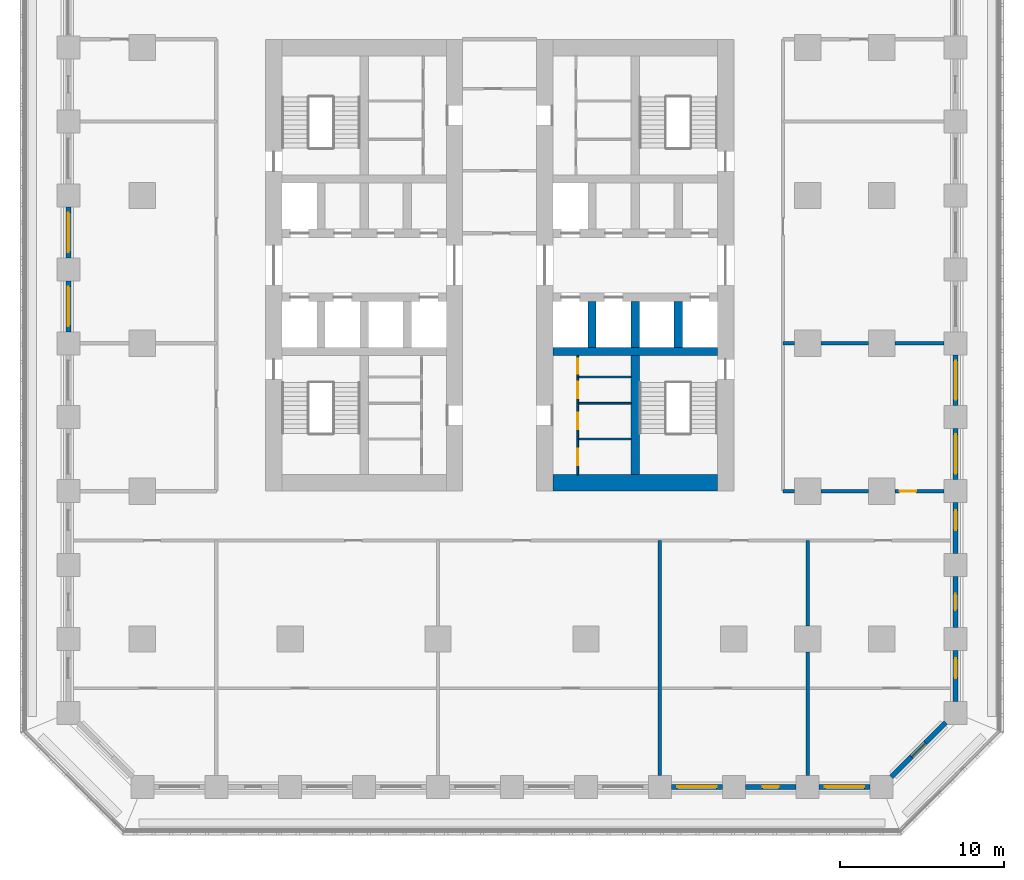
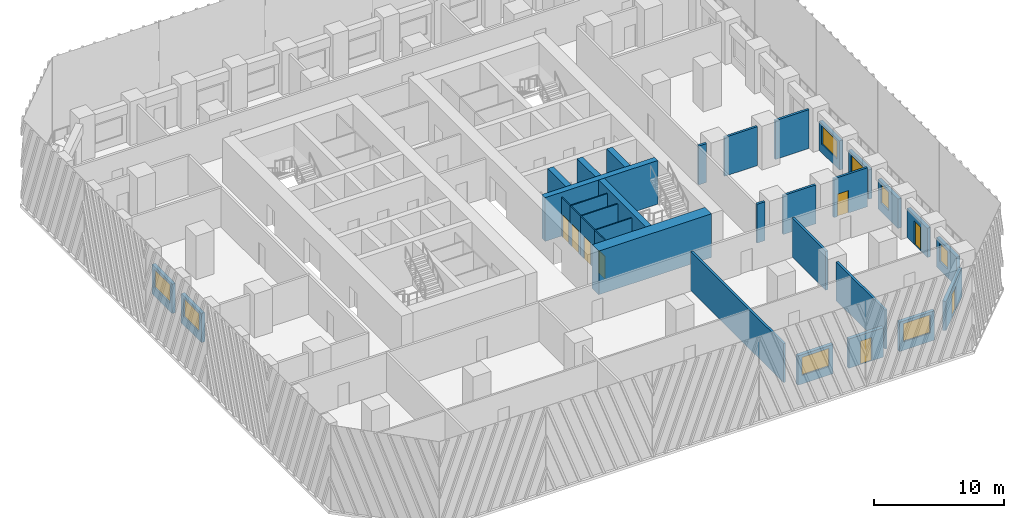
# One storey, part 4 of 14: 33 walls, 8 doors, 8 windows, 16 openings.
"""IFC4 building model written with IfcOpenShell, lengths in metres."""

from ifc_helpers import new_model, si_unit, direction, frame, frame_2d, origin, place, context, subcontext, project, spatial, rectangle, extrude, material, layer, layer_set, type_object, element, fill, save


model = new_model("IFC4")

# Units and contexts
model_context = context("Model", 3, precision=1e-05, world=origin(), true_north=direction((0.0, 1.0)))
body_context = subcontext(model_context, "Body", "Model", "MODEL_VIEW")
ifc_project = project(units=[si_unit("LENGTHUNIT", "METRE"), si_unit("AREAUNIT", "SQUARE_METRE"), si_unit("VOLUMEUNIT", "CUBIC_METRE"), si_unit("PLANEANGLEUNIT", "RADIAN"), si_unit("MASSUNIT", "GRAM", prefix="KILO")], contexts=[model_context])

# Site, building, storey
site_placement = place(None, origin())
site = spatial("IfcSite", under=ifc_project, at=site_placement, CompositionType="ELEMENT")
building_placement = place(site_placement, origin())
building = spatial("IfcBuilding", under=site, at=building_placement, Name="Corbel Stack Research Tower", CompositionType="ELEMENT")
storey_placement = place(building_placement, frame((0.0, 0.0, 50.10009765625)))
storey = spatial("IfcBuildingStorey", under=building, at=storey_placement, Name="L11", CompositionType="ELEMENT", Elevation=50.10009765625)

# Walls
ifc_material_1 = material(Name="Concrete C70/85", Category="concrete")
ifc_layer_1 = layer(ifc_material_1, 1.0)
ifc_layer_set_1 = layer_set([ifc_layer_1], Name="Concrete C70/85")
wall_type_1 = type_object("IfcWallType", Name="CW-1000-70", PredefinedType="SHEAR", material=ifc_layer_set_1)
wall_1_placement = place(storey_placement, frame((7.0, -8.5, 0.0), z_axis=(0.0, 0.0, 1.0), x_axis=(1.0, 0.0, 0.0)))
element("IfcWall", 1, at=wall_1_placement, inside=storey, type_object=wall_type_1, Name="East core wall, south end L11", PredefinedType="SHEAR", context=body_context, shape_type="SweptSolid", body=[
    extrude(rectangle(XDim=10.0, YDim=1.0, at=frame_2d((5.0, 0.0))), origin(), (0.0, 0.0, 1.0), 4.099853515625),
])
ifc_material_2 = material(Name="Concrete C70/85", Category="concrete")
ifc_layer_2 = layer(ifc_material_2, 0.5)
ifc_layer_set_2 = layer_set([ifc_layer_2], Name="Concrete C70/85")
wall_type_2 = type_object("IfcWallType", Name="CW-500-70", PredefinedType="SHEAR", material=ifc_layer_set_2)
wall_2_placement = place(storey_placement, frame((7.0, -0.5, 0.0), z_axis=(0.0, 0.0, 1.0), x_axis=(1.0, 0.0, 0.0)))
element("IfcWall", 2, at=wall_2_placement, inside=storey, type_object=wall_type_2, Name="East core wall, south row back L11", PredefinedType="SHEAR", context=body_context, shape_type="SweptSolid", body=[
    extrude(rectangle(XDim=10.0, YDim=0.5, at=frame_2d((5.0, 0.0))), origin(), (0.0, 0.0, 1.0), 4.099853515625),
])
for number, where, z_axis, x_axis, name in (
    (3, (9.375, -0.25, 0.0), (0.0, 0.0, 1.0), (0.0, 1.0, 0.0), "East core wall, south shaft 1 L11"),
    (4, (12.0, -0.25, 0.0), (0.0, 0.0, 1.0), (0.0, 1.0, 0.0), "East core wall, south shaft 2 L11"),
    (5, (14.625, -0.25, 0.0), (0.0, 0.0, 1.0), (0.0, 1.0, 0.0), "East core wall, south shaft 3 L11"),
):
    element("IfcWall", number, at=place(storey_placement, frame(where, z_axis=z_axis, x_axis=x_axis)), inside=storey, type_object=wall_type_2, Name=name, PredefinedType="SHEAR", context=body_context, shape_type="SweptSolid", body=[
        extrude(rectangle(XDim=2.800048828125, YDim=0.5, at=frame_2d((1.39990234375, 0.0))), origin(), (0.0, 0.0, 1.0), 4.099853515625),
    ])
wall_3_placement = place(storey_placement, frame((12.0, -8.0, 0.0), z_axis=(0.0, 0.0, 1.0), x_axis=(0.0, 1.0, 0.0)))
element("IfcWall", 6, at=wall_3_placement, inside=storey, type_object=wall_type_2, Name="East core wall, south stair and WC L11", PredefinedType="SHEAR", context=body_context, shape_type="SweptSolid", body=[
    extrude(rectangle(XDim=7.25, YDim=0.5, at=frame_2d((3.625, 0.0))), origin(), (0.0, 0.0, 1.0), 4.099853515625),
])

# Wall, opening, door
ifc_material_3 = material(Name="Gypsum board")
ifc_layer_3 = layer(ifc_material_3, 0.10009765625)
ifc_layer_set_3 = layer_set([ifc_layer_3], Name="Gypsum board")
wall_type_3 = type_object("IfcWallType", Name="Core partition 100", PredefinedType="PARTITIONING", material=ifc_layer_set_3)
wall_4_placement = place(storey_placement, frame((8.5, -8.0, 0.0), z_axis=(0.0, 0.0, 1.0), x_axis=(0.0, 1.0, 0.0)))
wall_4 = element("IfcWall", 7, at=wall_4_placement, inside=storey, type_object=wall_type_3, Name="Core partition E", PredefinedType="PARTITIONING", context=body_context, shape_type="SweptSolid", body=[
    extrude(rectangle(XDim=2.175048828125, YDim=0.10009765625, at=frame_2d((1.08740234375, 0.0))), origin(), (0.0, 0.0, 1.0), 3.64990234375),
])
opening_1_placement = place(wall_4_placement, frame((0.58740234375, 0.0, 0.0)))
opening_1 = element("IfcOpeningElement", 8, at=opening_1_placement, cuts=wall_4, Name="Opening CR-E42-W2-1000", PredefinedType="OPENING", context=body_context, shape_type="SweptSolid", body=[
    extrude(rectangle(XDim=1.0, YDim=2.10009765625, at=frame_2d((0.5, 1.050048828125))), frame((0.0, 0.06005859375, 0.0), z_axis=(0.0, -1.0, 0.0), x_axis=(1.0, 0.0, 0.0)), (0.0, 0.0, 1.0), 0.1201171875),
])
ifc_material_4 = material(Name="Painted timber door", Category="wood")
door_type_1 = type_object("IfcDoorType", Name="WC door 1000 x 2100 left hand", OperationType="SINGLE_SWING_LEFT", PredefinedType="DOOR", material=ifc_material_4)
door_1_placement = place(opening_1_placement, origin())
door_1 = element("IfcDoor", 9, at=door_1_placement, inside=storey, type_object=door_type_1, Name="Men's WC door E core", OperationType="SINGLE_SWING_LEFT", OverallHeight=2.10009765625, OverallWidth=1.0, PredefinedType="DOOR", context=body_context, shape_type="SweptSolid", body=[
    extrude(rectangle(XDim=1.0, YDim=2.10009765625, at=frame_2d((0.5, 1.050048828125))), frame((0.0, 0.02490234375, 0.0), z_axis=(0.0, -1.0, 0.0), x_axis=(1.0, 0.0, 0.0)), (0.0, 0.0, 1.0), 0.050048828125),
])
fill(opening_1, door_1)

wall_5_placement = place(storey_placement, frame((8.5, -5.824951171875, 0.0), z_axis=(0.0, 0.0, 1.0), x_axis=(0.0, 1.0, 0.0)))
wall_5 = element("IfcWall", 10, at=wall_5_placement, inside=storey, type_object=wall_type_3, Name="Core partition E", PredefinedType="PARTITIONING", context=body_context, shape_type="SweptSolid", body=[
    extrude(rectangle(XDim=2.175048828125, YDim=0.10009765625, at=frame_2d((1.08740234375, 0.0))), origin(), (0.0, 0.0, 1.0), 3.64990234375),
])
opening_2_placement = place(wall_5_placement, frame((0.58740234375, 0.0, 0.0)))
opening_2 = element("IfcOpeningElement", 11, at=opening_2_placement, cuts=wall_5, Name="Opening CR-E42-W3-1000", PredefinedType="OPENING", context=body_context, shape_type="SweptSolid", body=[
    extrude(rectangle(XDim=1.0, YDim=2.10009765625, at=frame_2d((0.5, 1.050048828125))), frame((0.0, 0.06005859375, 0.0), z_axis=(0.0, -1.0, 0.0), x_axis=(1.0, 0.0, 0.0)), (0.0, 0.0, 1.0), 0.1201171875),
])
ifc_material_5 = material(Name="Painted timber door", Category="wood")
door_type_2 = type_object("IfcDoorType", Name="WC door 1000 x 2100 right hand", OperationType="SINGLE_SWING_RIGHT", PredefinedType="DOOR", material=ifc_material_5)
door_2_placement = place(opening_2_placement, origin())
door_2 = element("IfcDoor", 12, at=door_2_placement, inside=storey, type_object=door_type_2, Name="Women's WC door E core", OperationType="SINGLE_SWING_RIGHT", OverallHeight=2.10009765625, OverallWidth=1.0, PredefinedType="DOOR", context=body_context, shape_type="SweptSolid", body=[
    extrude(rectangle(XDim=1.0, YDim=2.10009765625, at=frame_2d((0.5, 1.050048828125))), frame((0.0, 0.02490234375, 0.0), z_axis=(0.0, -1.0, 0.0), x_axis=(1.0, 0.0, 0.0)), (0.0, 0.0, 1.0), 0.050048828125),
])
fill(opening_2, door_2)

wall_6_placement = place(storey_placement, frame((8.5, -3.64990234375, 0.0), z_axis=(0.0, 0.0, 1.0), x_axis=(0.0, 1.0, 0.0)))
wall_6 = element("IfcWall", 13, at=wall_6_placement, inside=storey, type_object=wall_type_3, Name="Core partition E", PredefinedType="PARTITIONING", context=body_context, shape_type="SweptSolid", body=[
    extrude(rectangle(XDim=1.594970703125, YDim=0.10009765625, at=frame_2d((0.79736328125, 0.0))), origin(), (0.0, 0.0, 1.0), 3.64990234375),
])
opening_3_placement = place(wall_6_placement, frame((0.297607421875, 0.0, 0.0)))
opening_3 = element("IfcOpeningElement", 14, at=opening_3_placement, cuts=wall_6, Name="Opening CR-E42-W4-1000", PredefinedType="OPENING", context=body_context, shape_type="SweptSolid", body=[
    extrude(rectangle(XDim=1.0, YDim=2.10009765625, at=frame_2d((0.5, 1.050048828125))), frame((0.0, 0.06005859375, 0.0), z_axis=(0.0, -1.0, 0.0), x_axis=(1.0, 0.0, 0.0)), (0.0, 0.0, 1.0), 0.1201171875),
])
door_3_placement = place(opening_3_placement, origin())
door_3 = element("IfcDoor", 15, at=door_3_placement, inside=storey, type_object=door_type_1, Name="Accessible WC door E core", OperationType="SINGLE_SWING_LEFT", OverallHeight=2.10009765625, OverallWidth=1.0, PredefinedType="DOOR", context=body_context, shape_type="SweptSolid", body=[
    extrude(rectangle(XDim=1.0, YDim=2.10009765625, at=frame_2d((0.5, 1.050048828125))), frame((0.0, 0.02490234375, 0.0), z_axis=(0.0, -1.0, 0.0), x_axis=(1.0, 0.0, 0.0)), (0.0, 0.0, 1.0), 0.050048828125),
])
fill(opening_3, door_3)

wall_7_placement = place(storey_placement, frame((8.5, -2.054931640625, 0.0), z_axis=(0.0, 0.0, 1.0), x_axis=(0.0, 1.0, 0.0)))
wall_7 = element("IfcWall", 16, at=wall_7_placement, inside=storey, type_object=wall_type_3, Name="Core partition E", PredefinedType="PARTITIONING", context=body_context, shape_type="SweptSolid", body=[
    extrude(rectangle(XDim=1.304931640625, YDim=0.10009765625, at=frame_2d((0.65234375, 0.0))), origin(), (0.0, 0.0, 1.0), 3.64990234375),
])
opening_4_placement = place(wall_7_placement, frame((0.199951171875, 0.0, 0.0)))
opening_4 = element("IfcOpeningElement", 17, at=opening_4_placement, cuts=wall_7, Name="Opening CR-E42-W5-905", PredefinedType="OPENING", context=body_context, shape_type="SweptSolid", body=[
    extrude(rectangle(XDim=0.905029296875, YDim=2.10009765625, at=frame_2d((0.45263671875, 1.050048828125))), frame((0.0, 0.06005859375, 0.0), z_axis=(0.0, -1.0, 0.0), x_axis=(1.0, 0.0, 0.0)), (0.0, 0.0, 1.0), 0.1201171875),
])
ifc_material_6 = material(Name="Painted steel door", Category="steel")
door_type_3 = type_object("IfcDoorType", Name="Service door 905 x 2100 FD30 right hand", OperationType="SINGLE_SWING_RIGHT", PredefinedType="DOOR", material=ifc_material_6)
door_4_placement = place(opening_4_placement, origin())
door_4 = element("IfcDoor", 18, at=door_4_placement, inside=storey, type_object=door_type_3, Name="Cleaner's store door E core", OperationType="SINGLE_SWING_RIGHT", OverallHeight=2.10009765625, OverallWidth=0.905029296875, PredefinedType="DOOR", context=body_context, shape_type="SweptSolid", body=[
    extrude(rectangle(XDim=0.905029296875, YDim=2.10009765625, at=frame_2d((0.45263671875, 1.050048828125))), frame((0.0, 0.02490234375, 0.0), z_axis=(0.0, -1.0, 0.0), x_axis=(1.0, 0.0, 0.0)), (0.0, 0.0, 1.0), 0.050048828125),
])
fill(opening_4, door_4)

# Walls
for number, where, z_axis, x_axis, name in (
    (19, (8.5, -5.824951171875, 0.0), (0.0, 0.0, 1.0), (1.0, 0.0, 0.0), "Core partition E"),
    (20, (8.5, -3.64990234375, 0.0), (0.0, 0.0, 1.0), (1.0, 0.0, 0.0), "Core partition E"),
    (21, (8.5, -2.054931640625, 0.0), (0.0, 0.0, 1.0), (1.0, 0.0, 0.0), "Core partition E"),
):
    element("IfcWall", number, at=place(storey_placement, frame(where, z_axis=z_axis, x_axis=x_axis)), inside=storey, type_object=wall_type_3, Name=name, PredefinedType="PARTITIONING", context=body_context, shape_type="SweptSolid", body=[
        extrude(rectangle(XDim=3.25, YDim=0.10009765625, at=frame_2d((1.625, 0.0))), origin(), (0.0, 0.0, 1.0), 3.64990234375),
    ])
ifc_material_7 = material(Name="Fire-rated gypsum board partition on steel studs", Category="steel")
ifc_layer_4 = layer(ifc_material_7, 0.199951171875)
ifc_layer_set_4 = layer_set([ifc_layer_4], Name="Fire-rated gypsum board partition on steel studs")
wall_type_4 = type_object("IfcWallType", Name="Fire-rated partition 200 EI 60", PredefinedType="PARTITIONING", material=ifc_layer_set_4)
wall_8_placement = place(storey_placement, frame((13.5, -26.300048828125, 0.0), z_axis=(0.0, 0.0, 1.0), x_axis=(0.0, 1.0, 0.0)))
element("IfcWall", 22, at=wall_8_placement, inside=storey, type_object=wall_type_4, Name="Partition L11-007", PredefinedType="PARTITIONING", context=body_context, shape_type="SweptSolid", body=[
    extrude(rectangle(XDim=14.300048828125, YDim=0.199951171875, at=frame_2d((7.14990234375, 0.0))), origin(), (0.0, 0.0, 1.0), 3.64990234375),
])
wall_9_placement = place(storey_placement, frame((22.5, -26.300048828125, 0.0), z_axis=(0.0, 0.0, 1.0), x_axis=(0.0, 1.0, 0.0)))
element("IfcWall", 23, at=wall_9_placement, inside=storey, type_object=wall_type_4, Name="Partition L11-010", PredefinedType="PARTITIONING", context=body_context, shape_type="SweptSolid", body=[
    extrude(rectangle(XDim=7.5, YDim=0.199951171875, at=frame_2d((3.75, 0.0))), origin(), (0.0, 0.0, 1.0), 3.64990234375),
])
wall_10_placement = place(storey_placement, frame((22.5, -17.199951171875, 0.0), z_axis=(0.0, 0.0, 1.0), x_axis=(0.0, 1.0, 0.0)))
element("IfcWall", 24, at=wall_10_placement, inside=storey, type_object=wall_type_4, Name="Partition L11-011", PredefinedType="PARTITIONING", context=body_context, shape_type="SweptSolid", body=[
    extrude(rectangle(XDim=5.199951171875, YDim=0.199951171875, at=frame_2d((2.60009765625, 0.0))), origin(), (0.0, 0.0, 1.0), 3.64990234375),
])
wall_11_placement = place(storey_placement, frame((21.0, -9.0, 0.0), z_axis=(0.0, 0.0, 1.0), x_axis=(1.0, 0.0, 0.0)))
element("IfcWall", 25, at=wall_11_placement, inside=storey, type_object=wall_type_4, Name="Partition L11-017", PredefinedType="PARTITIONING", context=body_context, shape_type="SweptSolid", body=[
    extrude(rectangle(XDim=0.699951171875, YDim=0.199951171875, at=frame_2d((0.35009765625, 0.0))), origin(), (0.0, 0.0, 1.0), 3.64990234375),
])
wall_12_placement = place(storey_placement, frame((23.300048828125, -9.0, 0.0), z_axis=(0.0, 0.0, 1.0), x_axis=(1.0, 0.0, 0.0)))
element("IfcWall", 26, at=wall_12_placement, inside=storey, type_object=wall_type_4, Name="Partition L11-018", PredefinedType="PARTITIONING", context=body_context, shape_type="SweptSolid", body=[
    extrude(rectangle(XDim=2.89990234375, YDim=0.199951171875, at=frame_2d((1.449951171875, 0.0))), origin(), (0.0, 0.0, 1.0), 3.64990234375),
])

# Wall, opening, door
wall_13_placement = place(storey_placement, frame((27.800048828125, -9.0, 0.0), z_axis=(0.0, 0.0, 1.0), x_axis=(1.0, 0.0, 0.0)))
wall_13 = element("IfcWall", 27, at=wall_13_placement, inside=storey, type_object=wall_type_4, Name="Partition L11-019", PredefinedType="PARTITIONING", context=body_context, shape_type="SweptSolid", body=[
    extrude(rectangle(XDim=3.0, YDim=0.199951171875, at=frame_2d((1.5, 0.0))), origin(), (0.0, 0.0, 1.0), 3.64990234375),
])
opening_5_placement = place(wall_13_placement, frame((0.300048828125, 0.0, 0.0)))
opening_5 = element("IfcOpeningElement", 28, at=opening_5_placement, cuts=wall_13, Name="Opening B2V1-013", PredefinedType="OPENING", context=body_context, shape_type="SweptSolid", body=[
    extrude(rectangle(XDim=1.0, YDim=2.10009765625, at=frame_2d((0.5, 1.050048828125))), frame((0.0, 0.10986328125, 0.0), z_axis=(0.0, -1.0, 0.0), x_axis=(1.0, 0.0, 0.0)), (0.0, 0.0, 1.0), 0.219970703125),
])
ifc_material_8 = material(Name="Painted steel fire door", Category="steel")
door_type_4 = type_object("IfcDoorType", Name="Fire door FD30S 1000 x 2100", OperationType="NOTDEFINED", PredefinedType="DOOR", material=ifc_material_8)
door_5_placement = place(opening_5_placement, origin())
door_5 = element("IfcDoor", 29, at=door_5_placement, inside=storey, type_object=door_type_4, Name="Door B2V1-013", OperationType="SINGLE_SWING_LEFT", OverallHeight=2.10009765625, OverallWidth=1.0, PredefinedType="DOOR", context=body_context, shape_type="SweptSolid", body=[
    extrude(rectangle(XDim=1.0, YDim=2.10009765625, at=frame_2d((0.5, 1.050048828125))), frame((0.0, 0.02490234375, 0.0), z_axis=(0.0, -1.0, 0.0), x_axis=(1.0, 0.0, 0.0)), (0.0, 0.0, 1.0), 0.050048828125),
])
fill(opening_5, door_5)

# Walls
wall_14_placement = place(storey_placement, frame((21.0, 0.0, 0.0), z_axis=(0.0, 0.0, 1.0), x_axis=(1.0, 0.0, 0.0)))
element("IfcWall", 30, at=wall_14_placement, inside=storey, type_object=wall_type_4, Name="Partition L11-022", PredefinedType="PARTITIONING", context=body_context, shape_type="SweptSolid", body=[
    extrude(rectangle(XDim=0.699951171875, YDim=0.199951171875, at=frame_2d((0.35009765625, 0.0))), origin(), (0.0, 0.0, 1.0), 3.64990234375),
])
wall_15_placement = place(storey_placement, frame((23.300048828125, 0.0, 0.0), z_axis=(0.0, 0.0, 1.0), x_axis=(1.0, 0.0, 0.0)))
element("IfcWall", 31, at=wall_15_placement, inside=storey, type_object=wall_type_4, Name="Partition L11-023", PredefinedType="PARTITIONING", context=body_context, shape_type="SweptSolid", body=[
    extrude(rectangle(XDim=2.89990234375, YDim=0.199951171875, at=frame_2d((1.449951171875, 0.0))), origin(), (0.0, 0.0, 1.0), 3.64990234375),
])
wall_16_placement = place(storey_placement, frame((27.800048828125, 0.0, 0.0), z_axis=(0.0, 0.0, 1.0), x_axis=(1.0, 0.0, 0.0)))
element("IfcWall", 32, at=wall_16_placement, inside=storey, type_object=wall_type_4, Name="Partition L11-024", PredefinedType="PARTITIONING", context=body_context, shape_type="SweptSolid", body=[
    extrude(rectangle(XDim=3.0, YDim=0.199951171875, at=frame_2d((1.5, 0.0))), origin(), (0.0, 0.0, 1.0), 3.64990234375),
])

# Wall, opening, window
ifc_material_9 = material(Name="Concrete C45/55", Category="concrete")
ifc_layer_5 = layer(ifc_material_9, 0.300048828125)
ifc_layer_set_5 = layer_set([ifc_layer_5], Name="Concrete C45/55")
wall_type_5 = type_object("IfcWallType", Name="Terracotta-faced concrete wall 300", PredefinedType="SOLIDWALL", material=ifc_layer_set_5)
wall_17_placement = place(storey_placement, frame((17.300048828125, -27.0, 0.0), z_axis=(0.0, 0.0, 1.0), x_axis=(-1.0, 0.0, 0.0)))
wall_17 = element("IfcWall", 33, at=wall_17_placement, inside=storey, type_object=wall_type_5, Name="Facade wall L11 S08", PredefinedType="SOLIDWALL", context=body_context, shape_type="SweptSolid", body=[
    extrude(rectangle(XDim=3.10009765625, YDim=0.300048828125, at=frame_2d((1.550048828125, 0.0))), origin(), (0.0, 0.0, 1.0), 2.75),
])
opening_6_placement = place(wall_17_placement, frame((0.35009765625, 0.0, 0.800048828125)))
opening_6 = element("IfcOpeningElement", 34, at=opening_6_placement, cuts=wall_17, Name="Opening W1", PredefinedType="OPENING", context=body_context, shape_type="SweptSolid", body=[
    extrude(rectangle(XDim=2.39990234375, YDim=1.699951171875, at=frame_2d((1.199951171875, 0.85009765625))), frame((0.0, 0.159912109375, 0.0), z_axis=(0.0, -1.0, 0.0), x_axis=(1.0, 0.0, 0.0)), (0.0, 0.0, 1.0), 0.320068359375),
])
ifc_material_10 = material(Name="Aluminium frame, clear double glazing", Category="aluminium")
window_type_1 = type_object("IfcWindowType", Name="Window W1 2400 x 1700", PartitioningType="SINGLE_PANEL", PredefinedType="WINDOW", material=ifc_material_10)
window_1_placement = place(opening_6_placement, origin())
window_1 = element("IfcWindow", 35, at=window_1_placement, inside=storey, type_object=window_type_1, Name="Window W1 L11 S08", OverallHeight=1.699951171875, OverallWidth=2.39990234375, PartitioningType="SINGLE_PANEL", PredefinedType="WINDOW", context=body_context, shape_type="SweptSolid", body=[
    extrude(rectangle(XDim=2.39990234375, YDim=1.699951171875, at=frame_2d((1.199951171875, 0.85009765625))), frame((0.0, 0.030029296875, 0.0), z_axis=(0.0, -1.0, 0.0), x_axis=(1.0, 0.0, 0.0)), (0.0, 0.0, 1.0), 0.06005859375),
])
fill(opening_6, window_1)

# Wall, opening, door
wall_18_placement = place(storey_placement, frame((21.800048828125, -27.0, 0.0), z_axis=(0.0, 0.0, 1.0), x_axis=(-1.0, 0.0, 0.0)))
wall_18 = element("IfcWall", 36, at=wall_18_placement, inside=storey, type_object=wall_type_5, Name="Facade wall L11 S09", PredefinedType="SOLIDWALL", context=body_context, shape_type="SweptSolid", body=[
    extrude(rectangle(XDim=3.10009765625, YDim=0.300048828125, at=frame_2d((1.550048828125, 0.0))), origin(), (0.0, 0.0, 1.0), 2.75),
])
opening_7_placement = place(wall_18_placement, frame((1.050048828125, 0.0, 0.0)))
opening_7 = element("IfcOpeningElement", 37, at=opening_7_placement, cuts=wall_18, Name="Opening L11-B02", PredefinedType="OPENING", context=body_context, shape_type="SweptSolid", body=[
    extrude(rectangle(XDim=1.0, YDim=2.199951171875, at=frame_2d((0.5, 1.10009765625))), frame((0.0, 0.159912109375, 0.0), z_axis=(0.0, -1.0, 0.0), x_axis=(1.0, 0.0, 0.0)), (0.0, 0.0, 1.0), 0.320068359375),
])
ifc_material_11 = material(Name="Aluminium frame, clear double glazing", Category="aluminium")
door_type_5 = type_object("IfcDoorType", Name="Balcony door BD1 1000 x 2200", OperationType="NOTDEFINED", PredefinedType="DOOR", material=ifc_material_11)
door_6_placement = place(opening_7_placement, origin())
door_6 = element("IfcDoor", 38, at=door_6_placement, inside=storey, type_object=door_type_5, Name="Balcony door L11-B02", OperationType="SINGLE_SWING_RIGHT", OverallHeight=2.199951171875, OverallWidth=1.0, PredefinedType="DOOR", context=body_context, shape_type="SweptSolid", body=[
    extrude(rectangle(XDim=1.0, YDim=2.199951171875, at=frame_2d((0.5, 1.10009765625))), frame((0.0, 0.02490234375, 0.0), z_axis=(0.0, -1.0, 0.0), x_axis=(1.0, 0.0, 0.0)), (0.0, 0.0, 1.0), 0.050048828125),
])
fill(opening_7, door_6)

# Wall, opening, window
wall_19_placement = place(storey_placement, frame((26.300048828125, -27.0, 0.0), z_axis=(0.0, 0.0, 1.0), x_axis=(-1.0, 0.0, 0.0)))
wall_19 = element("IfcWall", 39, at=wall_19_placement, inside=storey, type_object=wall_type_5, Name="Facade wall L11 S10", PredefinedType="SOLIDWALL", context=body_context, shape_type="SweptSolid", body=[
    extrude(rectangle(XDim=3.10009765625, YDim=0.300048828125, at=frame_2d((1.550048828125, 0.0))), origin(), (0.0, 0.0, 1.0), 2.75),
])
opening_8_placement = place(wall_19_placement, frame((0.35009765625, 0.0, 0.800048828125)))
opening_8 = element("IfcOpeningElement", 40, at=opening_8_placement, cuts=wall_19, Name="Opening W1", PredefinedType="OPENING", context=body_context, shape_type="SweptSolid", body=[
    extrude(rectangle(XDim=2.39990234375, YDim=1.699951171875, at=frame_2d((1.199951171875, 0.85009765625))), frame((0.0, 0.159912109375, 0.0), z_axis=(0.0, -1.0, 0.0), x_axis=(1.0, 0.0, 0.0)), (0.0, 0.0, 1.0), 0.320068359375),
])
window_2_placement = place(opening_8_placement, origin())
window_2 = element("IfcWindow", 41, at=window_2_placement, inside=storey, type_object=window_type_1, Name="Window W1 L11 S10", OverallHeight=1.699951171875, OverallWidth=2.39990234375, PartitioningType="SINGLE_PANEL", PredefinedType="WINDOW", context=body_context, shape_type="SweptSolid", body=[
    extrude(rectangle(XDim=2.39990234375, YDim=1.699951171875, at=frame_2d((1.199951171875, 0.85009765625))), frame((0.0, 0.030029296875, 0.0), z_axis=(0.0, -1.0, 0.0), x_axis=(1.0, 0.0, 0.0)), (0.0, 0.0, 1.0), 0.06005859375),
])
fill(opening_8, window_2)

# Wall, opening, door
wall_20_placement = place(storey_placement, frame((30.906005859375, -23.093994140625, 0.0), z_axis=(0.0, 0.0, 1.0), x_axis=(-0.707106781187, -0.707106781187, 0.0)))
wall_20 = element("IfcWall", 42, at=wall_20_placement, inside=storey, type_object=wall_type_5, Name="Facade wall L11 SE01", PredefinedType="SOLIDWALL", context=body_context, shape_type="SweptSolid", body=[
    extrude(rectangle(XDim=4.683837890625, YDim=0.300048828125, at=frame_2d((2.341796875, 0.0))), origin(), (0.0, 0.0, 1.0), 2.75),
])
opening_9_placement = place(wall_20_placement, frame((1.741943359375, 0.0, 0.0)))
opening_9 = element("IfcOpeningElement", 43, at=opening_9_placement, cuts=wall_20, Name="Opening L11-B03", PredefinedType="OPENING", context=body_context, shape_type="SweptSolid", body=[
    extrude(rectangle(XDim=1.199951171875, YDim=2.199951171875, at=frame_2d((0.60009765625, 1.10009765625))), frame((0.0, 0.159912109375, 0.0), z_axis=(0.0, -1.0, 0.0), x_axis=(1.0, 0.0, 0.0)), (0.0, 0.0, 1.0), 0.320068359375),
])
ifc_material_12 = material(Name="Aluminium frame, clear double glazing", Category="aluminium")
door_type_6 = type_object("IfcDoorType", Name="Balcony door BD2 1200 x 2200", OperationType="NOTDEFINED", PredefinedType="DOOR", material=ifc_material_12)
door_7_placement = place(opening_9_placement, origin())
door_7 = element("IfcDoor", 44, at=door_7_placement, inside=storey, type_object=door_type_6, Name="Balcony door L11-B03", OperationType="SINGLE_SWING_RIGHT", OverallHeight=2.199951171875, OverallWidth=1.199951171875, PredefinedType="DOOR", context=body_context, shape_type="SweptSolid", body=[
    extrude(rectangle(XDim=1.199951171875, YDim=2.199951171875, at=frame_2d((0.60009765625, 1.10009765625))), frame((0.0, 0.02490234375, 0.0), z_axis=(0.0, -1.0, 0.0), x_axis=(1.0, 0.0, 0.0)), (0.0, 0.0, 1.0), 0.050048828125),
])
fill(opening_9, door_7)

# Wall, opening, window
wall_21_placement = place(storey_placement, frame((31.5, -18.699951171875, 0.0), z_axis=(0.0, 0.0, 1.0), x_axis=(0.0, -1.0, 0.0)))
wall_21 = element("IfcWall", 45, at=wall_21_placement, inside=storey, type_object=wall_type_5, Name="Facade wall L11 E01", PredefinedType="SOLIDWALL", context=body_context, shape_type="SweptSolid", body=[
    extrude(rectangle(XDim=3.10009765625, YDim=0.300048828125, at=frame_2d((1.550048828125, 0.0))), origin(), (0.0, 0.0, 1.0), 2.75),
])
opening_10_placement = place(wall_21_placement, frame((0.487548828125, 0.0, 0.800048828125)))
opening_10 = element("IfcOpeningElement", 46, at=opening_10_placement, cuts=wall_21, Name="Opening W2", PredefinedType="OPENING", context=body_context, shape_type="SweptSolid", body=[
    extrude(rectangle(XDim=1.199951171875, YDim=1.699951171875, at=frame_2d((0.60009765625, 0.85009765625))), frame((0.0, 0.159912109375, 0.0), z_axis=(0.0, -1.0, 0.0), x_axis=(1.0, 0.0, 0.0)), (0.0, 0.0, 1.0), 0.320068359375),
])
ifc_material_13 = material(Name="Aluminium frame, clear double glazing", Category="aluminium")
window_type_2 = type_object("IfcWindowType", Name="Window W2 1200 x 1700", PartitioningType="SINGLE_PANEL", PredefinedType="WINDOW", material=ifc_material_13)
window_3_placement = place(opening_10_placement, origin())
window_3 = element("IfcWindow", 47, at=window_3_placement, inside=storey, type_object=window_type_2, Name="Window W2 L11 E01", OverallHeight=1.699951171875, OverallWidth=1.199951171875, PartitioningType="SINGLE_PANEL", PredefinedType="WINDOW", context=body_context, shape_type="SweptSolid", body=[
    extrude(rectangle(XDim=1.199951171875, YDim=1.699951171875, at=frame_2d((0.60009765625, 0.85009765625))), frame((0.0, 0.030029296875, 0.0), z_axis=(0.0, -1.0, 0.0), x_axis=(1.0, 0.0, 0.0)), (0.0, 0.0, 1.0), 0.06005859375),
])
fill(opening_10, window_3)

# Wall, opening, door
wall_22_placement = place(storey_placement, frame((31.5, -14.199951171875, 0.0), z_axis=(0.0, 0.0, 1.0), x_axis=(0.0, -1.0, 0.0)))
wall_22 = element("IfcWall", 48, at=wall_22_placement, inside=storey, type_object=wall_type_5, Name="Facade wall L11 E02", PredefinedType="SOLIDWALL", context=body_context, shape_type="SweptSolid", body=[
    extrude(rectangle(XDim=3.10009765625, YDim=0.300048828125, at=frame_2d((1.550048828125, 0.0))), origin(), (0.0, 0.0, 1.0), 2.75),
])
opening_11_placement = place(wall_22_placement, frame((1.050048828125, 0.0, 0.0)))
opening_11 = element("IfcOpeningElement", 49, at=opening_11_placement, cuts=wall_22, Name="Opening L11-B04", PredefinedType="OPENING", context=body_context, shape_type="SweptSolid", body=[
    extrude(rectangle(XDim=1.0, YDim=2.199951171875, at=frame_2d((0.5, 1.10009765625))), frame((0.0, 0.159912109375, 0.0), z_axis=(0.0, -1.0, 0.0), x_axis=(1.0, 0.0, 0.0)), (0.0, 0.0, 1.0), 0.320068359375),
])
door_8_placement = place(opening_11_placement, origin())
door_8 = element("IfcDoor", 50, at=door_8_placement, inside=storey, type_object=door_type_5, Name="Balcony door L11-B04", OperationType="SINGLE_SWING_LEFT", OverallHeight=2.199951171875, OverallWidth=1.0, PredefinedType="DOOR", context=body_context, shape_type="SweptSolid", body=[
    extrude(rectangle(XDim=1.0, YDim=2.199951171875, at=frame_2d((0.5, 1.10009765625))), frame((0.0, 0.02490234375, 0.0), z_axis=(0.0, -1.0, 0.0), x_axis=(1.0, 0.0, 0.0)), (0.0, 0.0, 1.0), 0.050048828125),
])
fill(opening_11, door_8)

# Wall, opening, window
wall_23_placement = place(storey_placement, frame((31.5, -9.699951171875, 0.0), z_axis=(0.0, 0.0, 1.0), x_axis=(0.0, -1.0, 0.0)))
wall_23 = element("IfcWall", 51, at=wall_23_placement, inside=storey, type_object=wall_type_5, Name="Facade wall L11 E03", PredefinedType="SOLIDWALL", context=body_context, shape_type="SweptSolid", body=[
    extrude(rectangle(XDim=3.10009765625, YDim=0.300048828125, at=frame_2d((1.550048828125, 0.0))), origin(), (0.0, 0.0, 1.0), 2.75),
])
opening_12_placement = place(wall_23_placement, frame((0.47509765625, 0.0, 0.800048828125)))
opening_12 = element("IfcOpeningElement", 52, at=opening_12_placement, cuts=wall_23, Name="Opening W2", PredefinedType="OPENING", context=body_context, shape_type="SweptSolid", body=[
    extrude(rectangle(XDim=1.199951171875, YDim=1.699951171875, at=frame_2d((0.60009765625, 0.85009765625))), frame((0.0, 0.159912109375, 0.0), z_axis=(0.0, -1.0, 0.0), x_axis=(1.0, 0.0, 0.0)), (0.0, 0.0, 1.0), 0.320068359375),
])
window_4_placement = place(opening_12_placement, origin())
window_4 = element("IfcWindow", 53, at=window_4_placement, inside=storey, type_object=window_type_2, Name="Window W2 L11 E03", OverallHeight=1.699951171875, OverallWidth=1.199951171875, PartitioningType="SINGLE_PANEL", PredefinedType="WINDOW", context=body_context, shape_type="SweptSolid", body=[
    extrude(rectangle(XDim=1.199951171875, YDim=1.699951171875, at=frame_2d((0.60009765625, 0.85009765625))), frame((0.0, 0.030029296875, 0.0), z_axis=(0.0, -1.0, 0.0), x_axis=(1.0, 0.0, 0.0)), (0.0, 0.0, 1.0), 0.06005859375),
])
fill(opening_12, window_4)

wall_24_placement = place(storey_placement, frame((31.5, -5.199951171875, 0.0), z_axis=(0.0, 0.0, 1.0), x_axis=(0.0, -1.0, 0.0)))
wall_24 = element("IfcWall", 54, at=wall_24_placement, inside=storey, type_object=wall_type_5, Name="Facade wall L11 E04", PredefinedType="SOLIDWALL", context=body_context, shape_type="SweptSolid", body=[
    extrude(rectangle(XDim=3.10009765625, YDim=0.300048828125, at=frame_2d((1.550048828125, 0.0))), origin(), (0.0, 0.0, 1.0), 2.75),
])
opening_13_placement = place(wall_24_placement, frame((0.35009765625, 0.0, 0.800048828125)))
opening_13 = element("IfcOpeningElement", 55, at=opening_13_placement, cuts=wall_24, Name="Opening W1", PredefinedType="OPENING", context=body_context, shape_type="SweptSolid", body=[
    extrude(rectangle(XDim=2.39990234375, YDim=1.699951171875, at=frame_2d((1.199951171875, 0.85009765625))), frame((0.0, 0.159912109375, 0.0), z_axis=(0.0, -1.0, 0.0), x_axis=(1.0, 0.0, 0.0)), (0.0, 0.0, 1.0), 0.320068359375),
])
window_5_placement = place(opening_13_placement, origin())
window_5 = element("IfcWindow", 56, at=window_5_placement, inside=storey, type_object=window_type_1, Name="Window W1 L11 E04", OverallHeight=1.699951171875, OverallWidth=2.39990234375, PartitioningType="SINGLE_PANEL", PredefinedType="WINDOW", context=body_context, shape_type="SweptSolid", body=[
    extrude(rectangle(XDim=2.39990234375, YDim=1.699951171875, at=frame_2d((1.199951171875, 0.85009765625))), frame((0.0, 0.030029296875, 0.0), z_axis=(0.0, -1.0, 0.0), x_axis=(1.0, 0.0, 0.0)), (0.0, 0.0, 1.0), 0.06005859375),
])
fill(opening_13, window_5)

wall_25_placement = place(storey_placement, frame((31.5, -0.699951171875, 0.0), z_axis=(0.0, 0.0, 1.0), x_axis=(0.0, -1.0, 0.0)))
wall_25 = element("IfcWall", 57, at=wall_25_placement, inside=storey, type_object=wall_type_5, Name="Facade wall L11 E05", PredefinedType="SOLIDWALL", context=body_context, shape_type="SweptSolid", body=[
    extrude(rectangle(XDim=3.10009765625, YDim=0.300048828125, at=frame_2d((1.550048828125, 0.0))), origin(), (0.0, 0.0, 1.0), 2.75),
])
opening_14_placement = place(wall_25_placement, frame((0.35009765625, 0.0, 0.800048828125)))
opening_14 = element("IfcOpeningElement", 58, at=opening_14_placement, cuts=wall_25, Name="Opening W1", PredefinedType="OPENING", context=body_context, shape_type="SweptSolid", body=[
    extrude(rectangle(XDim=2.39990234375, YDim=1.699951171875, at=frame_2d((1.199951171875, 0.85009765625))), frame((0.0, 0.159912109375, 0.0), z_axis=(0.0, -1.0, 0.0), x_axis=(1.0, 0.0, 0.0)), (0.0, 0.0, 1.0), 0.320068359375),
])
window_6_placement = place(opening_14_placement, origin())
window_6 = element("IfcWindow", 59, at=window_6_placement, inside=storey, type_object=window_type_1, Name="Window W1 L11 E05", OverallHeight=1.699951171875, OverallWidth=2.39990234375, PartitioningType="SINGLE_PANEL", PredefinedType="WINDOW", context=body_context, shape_type="SweptSolid", body=[
    extrude(rectangle(XDim=2.39990234375, YDim=1.699951171875, at=frame_2d((1.199951171875, 0.85009765625))), frame((0.0, 0.030029296875, 0.0), z_axis=(0.0, -1.0, 0.0), x_axis=(1.0, 0.0, 0.0)), (0.0, 0.0, 1.0), 0.06005859375),
])
fill(opening_14, window_6)

wall_26_placement = place(storey_placement, frame((-22.5, 5.199951171875, 0.0), z_axis=(0.0, 0.0, 1.0), x_axis=(0.0, 1.0, 0.0)))
wall_26 = element("IfcWall", 60, at=wall_26_placement, inside=storey, type_object=wall_type_5, Name="Facade wall L11 W04", PredefinedType="SOLIDWALL", context=body_context, shape_type="SweptSolid", body=[
    extrude(rectangle(XDim=3.10009765625, YDim=0.300048828125, at=frame_2d((1.550048828125, 0.0))), origin(), (0.0, 0.0, 1.0), 2.75),
])
opening_15_placement = place(wall_26_placement, frame((0.35009765625, 0.0, 0.800048828125)))
opening_15 = element("IfcOpeningElement", 61, at=opening_15_placement, cuts=wall_26, Name="Opening W1", PredefinedType="OPENING", context=body_context, shape_type="SweptSolid", body=[
    extrude(rectangle(XDim=2.39990234375, YDim=1.699951171875, at=frame_2d((1.199951171875, 0.85009765625))), frame((0.0, 0.159912109375, 0.0), z_axis=(0.0, -1.0, 0.0), x_axis=(1.0, 0.0, 0.0)), (0.0, 0.0, 1.0), 0.320068359375),
])
window_7_placement = place(opening_15_placement, origin())
window_7 = element("IfcWindow", 62, at=window_7_placement, inside=storey, type_object=window_type_1, Name="Window W1 L11 W04", OverallHeight=1.699951171875, OverallWidth=2.39990234375, PartitioningType="SINGLE_PANEL", PredefinedType="WINDOW", context=body_context, shape_type="SweptSolid", body=[
    extrude(rectangle(XDim=2.39990234375, YDim=1.699951171875, at=frame_2d((1.199951171875, 0.85009765625))), frame((0.0, 0.030029296875, 0.0), z_axis=(0.0, -1.0, 0.0), x_axis=(1.0, 0.0, 0.0)), (0.0, 0.0, 1.0), 0.06005859375),
])
fill(opening_15, window_7)

wall_27_placement = place(storey_placement, frame((-22.5, 0.699951171875, 0.0), z_axis=(0.0, 0.0, 1.0), x_axis=(0.0, 1.0, 0.0)))
wall_27 = element("IfcWall", 63, at=wall_27_placement, inside=storey, type_object=wall_type_5, Name="Facade wall L11 W05", PredefinedType="SOLIDWALL", context=body_context, shape_type="SweptSolid", body=[
    extrude(rectangle(XDim=3.10009765625, YDim=0.300048828125, at=frame_2d((1.550048828125, 0.0))), origin(), (0.0, 0.0, 1.0), 2.75),
])
opening_16_placement = place(wall_27_placement, frame((0.35009765625, 0.0, 0.800048828125)))
opening_16 = element("IfcOpeningElement", 64, at=opening_16_placement, cuts=wall_27, Name="Opening W1", PredefinedType="OPENING", context=body_context, shape_type="SweptSolid", body=[
    extrude(rectangle(XDim=2.39990234375, YDim=1.699951171875, at=frame_2d((1.199951171875, 0.85009765625))), frame((0.0, 0.159912109375, 0.0), z_axis=(0.0, -1.0, 0.0), x_axis=(1.0, 0.0, 0.0)), (0.0, 0.0, 1.0), 0.320068359375),
])
window_8_placement = place(opening_16_placement, origin())
window_8 = element("IfcWindow", 65, at=window_8_placement, inside=storey, type_object=window_type_1, Name="Window W1 L11 W05", OverallHeight=1.699951171875, OverallWidth=2.39990234375, PartitioningType="SINGLE_PANEL", PredefinedType="WINDOW", context=body_context, shape_type="SweptSolid", body=[
    extrude(rectangle(XDim=2.39990234375, YDim=1.699951171875, at=frame_2d((1.199951171875, 0.85009765625))), frame((0.0, 0.030029296875, 0.0), z_axis=(0.0, -1.0, 0.0), x_axis=(1.0, 0.0, 0.0)), (0.0, 0.0, 1.0), 0.06005859375),
])
fill(opening_16, window_8)

save(model, "model.ifc")
